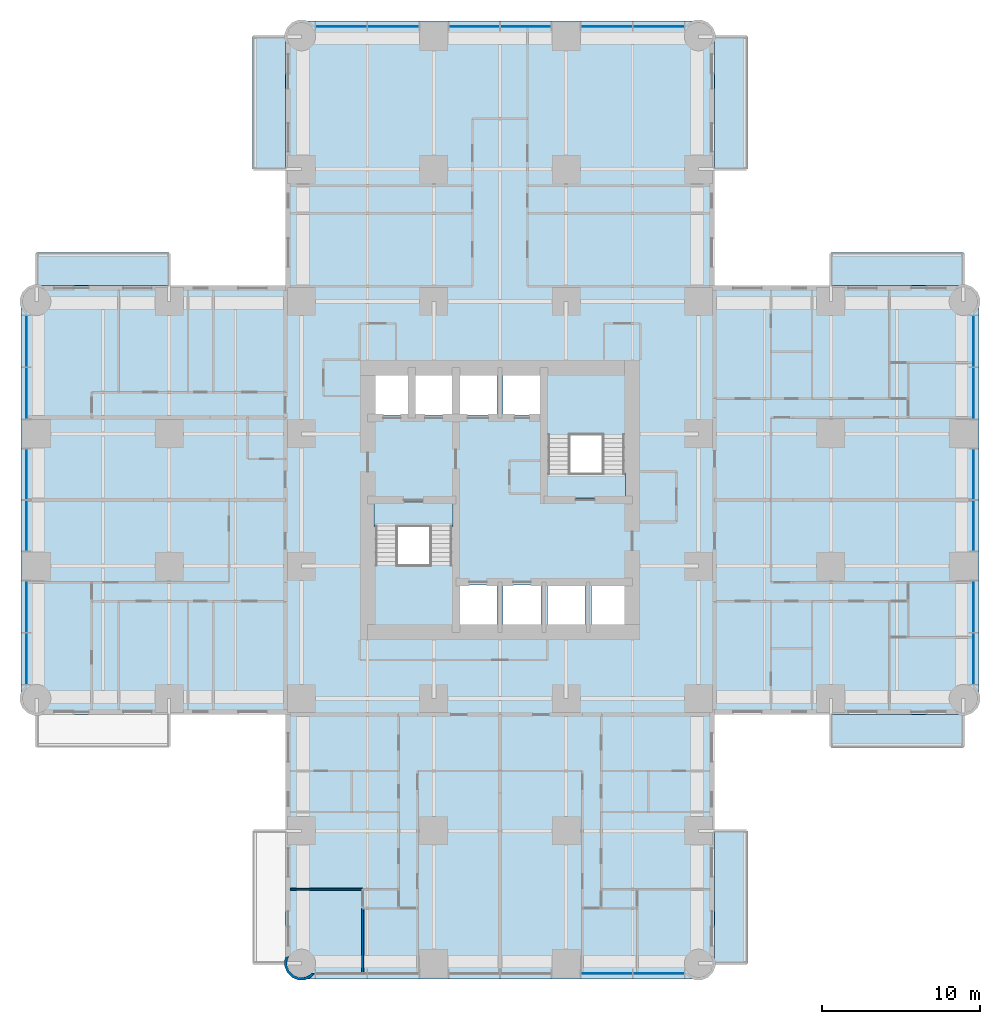
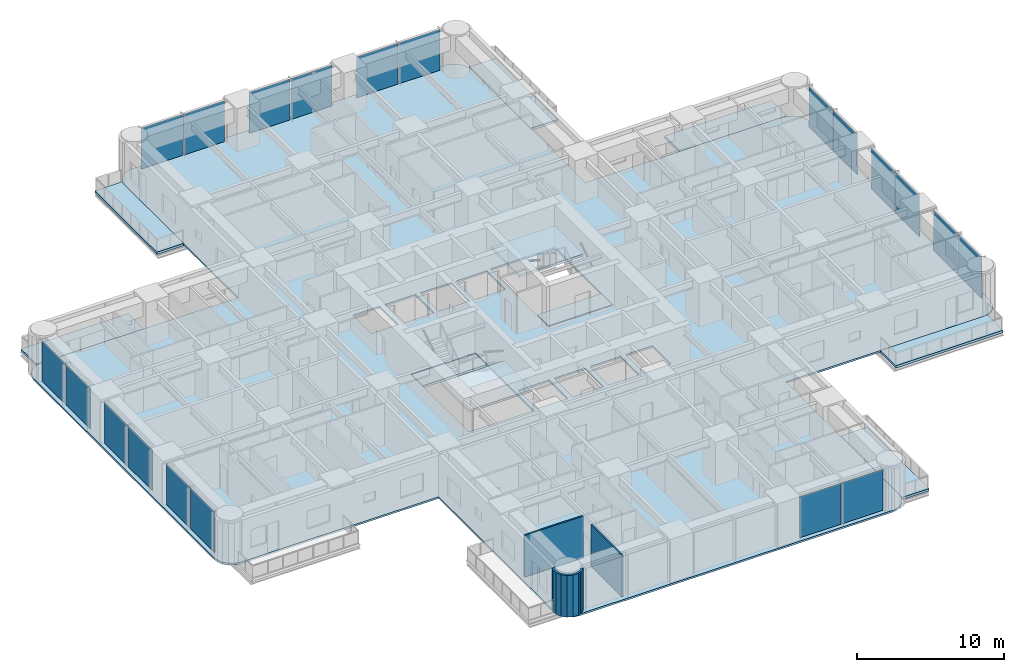
# One storey, part 6 of 17: 20 plates, 11 slabs, 3 walls, 6 elements without a shape of their own.
"""IFC4 building model written with IfcOpenShell, lengths in metres."""

from ifc_helpers import new_model, si_unit, direction, frame, frame_2d, origin, origin_2d, place, context, subcontext, project, spatial, polyline, rectangle, outline, extrude, material, layer, layer_set, type_object, element, aggregate, save


model = new_model("IFC4")

# Units and contexts
model_context = context("Model", 3, precision=1e-05, world=origin(), true_north=direction((0.0, 1.0)))
body_context = subcontext(model_context, "Body", "Model", "MODEL_VIEW")
ifc_project = project(units=[si_unit("LENGTHUNIT", "METRE"), si_unit("AREAUNIT", "SQUARE_METRE"), si_unit("VOLUMEUNIT", "CUBIC_METRE"), si_unit("PLANEANGLEUNIT", "RADIAN"), si_unit("MASSUNIT", "GRAM", prefix="KILO")], contexts=[model_context])

# Site, building, storey
site_placement = place(None, origin())
site = spatial("IfcSite", under=ifc_project, at=site_placement, CompositionType="ELEMENT")
building_placement = place(site_placement, origin())
building = spatial("IfcBuilding", under=site, at=building_placement, Name="Torre Alcanfor", CompositionType="ELEMENT")
storey_placement = place(building_placement, frame((0.0, 0.0, 34.5)))
storey = spatial("IfcBuildingStorey", under=building, at=storey_placement, Name="L07", CompositionType="ELEMENT", Elevation=34.5)

# Slabs
ifc_material_1 = material(Name="Concrete f'c 35 MPa", Category="concrete")
ifc_layer_1 = layer(ifc_material_1, 0.199951171875)
ifc_layer_set_1 = layer_set([ifc_layer_1], Name="Balcony slab 200")
slab_type_1 = type_object("IfcSlabType", Name="Balcony slab 200", PredefinedType="FLOOR", material=ifc_layer_set_1)
slab_1_placement = place(storey_placement, frame((0.0, 0.0, -0.199951171875)))
element("IfcSlab", 1, at=slab_1_placement, inside=storey, type_object=slab_type_1, Name="Balcony L07-N1", PredefinedType="FLOOR", context=body_context, shape_type="SweptSolid", body=[
    extrude(outline(polyline([(15.800048828125, 50.39990234375), (15.800048828125, 58.800048828125), (13.699951171875, 58.800048828125), (13.699951171875, 50.39990234375), (15.800048828125, 50.39990234375)])), origin(), (0.0, 0.0, 1.0), 0.199951171875),
])
slab_2_placement = place(storey_placement, frame((0.0, 0.0, -0.199951171875)))
element("IfcSlab", 2, at=slab_2_placement, inside=storey, type_object=slab_type_1, Name="Balcony L07-N2", PredefinedType="FLOOR", context=body_context, shape_type="SweptSolid", body=[
    extrude(outline(polyline([(45.10009765625, 50.39990234375), (45.10009765625, 58.800048828125), (43.0, 58.800048828125), (43.0, 50.39990234375), (45.10009765625, 50.39990234375)])), origin(), (0.0, 0.0, 1.0), 0.199951171875),
])
slab_3_placement = place(storey_placement, frame((0.0, 0.0, -0.199951171875)))
element("IfcSlab", 3, at=slab_3_placement, inside=storey, type_object=slab_type_1, Name="Balcony L07-E1", PredefinedType="FLOOR", context=body_context, shape_type="SweptSolid", body=[
    extrude(outline(polyline([(50.39990234375, 43.0), (58.800048828125, 43.0), (58.800048828125, 45.10009765625), (50.39990234375, 45.10009765625), (50.39990234375, 43.0)])), origin(), (0.0, 0.0, 1.0), 0.199951171875),
])
slab_4_placement = place(storey_placement, frame((0.0, 0.0, -0.199951171875)))
element("IfcSlab", 4, at=slab_4_placement, inside=storey, type_object=slab_type_1, Name="Balcony L07-E2", PredefinedType="FLOOR", context=body_context, shape_type="SweptSolid", body=[
    extrude(outline(polyline([(50.39990234375, 13.699951171875), (58.800048828125, 13.699951171875), (58.800048828125, 15.800048828125), (50.39990234375, 15.800048828125), (50.39990234375, 13.699951171875)])), origin(), (0.0, 0.0, 1.0), 0.199951171875),
])
slab_5_placement = place(storey_placement, frame((0.0, 0.0, -0.199951171875)))
element("IfcSlab", 5, at=slab_5_placement, inside=storey, type_object=slab_type_1, Name="Balcony L07-S1", PredefinedType="FLOOR", context=body_context, shape_type="SweptSolid", body=[
    extrude(outline(polyline([(43.0, 8.39990234375), (43.0, 0.0), (45.10009765625, 0.0), (45.10009765625, 8.39990234375), (43.0, 8.39990234375)])), origin(), (0.0, 0.0, 1.0), 0.199951171875),
])
slab_6_placement = place(storey_placement, frame((0.0, 0.0, -0.199951171875)))
element("IfcSlab", 6, at=slab_6_placement, inside=storey, type_object=slab_type_1, Name="Balcony L07-W2", PredefinedType="FLOOR", context=body_context, shape_type="SweptSolid", body=[
    extrude(outline(polyline([(8.39990234375, 45.10009765625), (0.0, 45.10009765625), (0.0, 43.0), (8.39990234375, 43.0), (8.39990234375, 45.10009765625)])), origin(), (0.0, 0.0, 1.0), 0.199951171875),
])

# Curtain wall, plates
ifc_material_2 = material(Name="Aluminium and glass", Category="aluminium")
curtain_wall_type = type_object("IfcCurtainWallType", Name="CW-A unitised apartment glazing with vertical FIN", PredefinedType="NOTDEFINED", material=ifc_material_2)
curtain_wall_1_placement = place(storey_placement, origin())
curtain_wall_1 = element("IfcCurtainWall", 7, at=curtain_wall_1_placement, inside=storey, type_object=curtain_wall_type, Name="Curtain wall CW-A L07 2", PredefinedType="NOTDEFINED")
ifc_material_3 = material(Name="Glass", Category="glass")
ifc_layer_2 = layer(ifc_material_3, 0.028076171875)
ifc_layer_set_2 = layer_set([ifc_layer_2], Name="CW-A clear double glazed unit")
plate_type = type_object("IfcPlateType", Name="CW-A clear double glazed unit", PredefinedType="CURTAIN_PANEL", material=ifc_layer_set_2)
plate_1_placement = place(storey_placement, frame((-0.64990234375, 39.484130859375, 0.0), z_axis=(0.0, 0.0, 1.0), x_axis=(0.0, -1.0, 0.0)))
plate_1 = element("IfcPlate", 8, at=plate_1_placement, type_object=plate_type, Name="CW-A panel 1.1.1", PredefinedType="CURTAIN_PANEL", context=body_context, shape_type="SweptSolid", body=[
    extrude(rectangle(XDim=3.232666015625, YDim=0.028076171875, at=origin_2d()), origin(), (0.0, 0.0, 1.0), 3.385009765625),
])
plate_2_placement = place(storey_placement, frame((-0.64990234375, 36.186279296875, 0.0), z_axis=(0.0, 0.0, 1.0), x_axis=(0.0, -1.0, 0.0)))
plate_2 = element("IfcPlate", 9, at=plate_2_placement, type_object=plate_type, Name="CW-A panel 1.2.1", PredefinedType="CURTAIN_PANEL", context=body_context, shape_type="SweptSolid", body=[
    extrude(rectangle(XDim=3.232666015625, YDim=0.028076171875, at=origin_2d()), origin(), (0.0, 0.0, 1.0), 3.385009765625),
])
plate_3_placement = place(storey_placement, frame((-0.64990234375, 31.03125, 0.0), z_axis=(0.0, 0.0, 1.0), x_axis=(0.0, -1.0, 0.0)))
plate_3 = element("IfcPlate", 10, at=plate_3_placement, type_object=plate_type, Name="CW-A panel 2.1.1", PredefinedType="CURTAIN_PANEL", context=body_context, shape_type="SweptSolid", body=[
    extrude(rectangle(XDim=3.197509765625, YDim=0.028076171875, at=origin_2d()), origin(), (0.0, 0.0, 1.0), 3.385009765625),
])
plate_4_placement = place(storey_placement, frame((-0.64990234375, 27.768798828125, 0.0), z_axis=(0.0, 0.0, 1.0), x_axis=(0.0, -1.0, 0.0)))
plate_4 = element("IfcPlate", 11, at=plate_4_placement, type_object=plate_type, Name="CW-A panel 2.2.1", PredefinedType="CURTAIN_PANEL", context=body_context, shape_type="SweptSolid", body=[
    extrude(rectangle(XDim=3.197509765625, YDim=0.028076171875, at=origin_2d()), origin(), (0.0, 0.0, 1.0), 3.385009765625),
])
plate_5_placement = place(storey_placement, frame((-0.64990234375, 22.613525390625, 0.0), z_axis=(0.0, 0.0, 1.0), x_axis=(0.0, -1.0, 0.0)))
plate_5 = element("IfcPlate", 12, at=plate_5_placement, type_object=plate_type, Name="CW-A panel 3.1.1", PredefinedType="CURTAIN_PANEL", context=body_context, shape_type="SweptSolid", body=[
    extrude(rectangle(XDim=3.232666015625, YDim=0.028076171875, at=origin_2d()), origin(), (0.0, 0.0, 1.0), 3.385009765625),
])
plate_6_placement = place(storey_placement, frame((-0.64990234375, 19.31591796875, 0.0), z_axis=(0.0, 0.0, 1.0), x_axis=(0.0, -1.0, 0.0)))
plate_6 = element("IfcPlate", 13, at=plate_6_placement, type_object=plate_type, Name="CW-A panel 3.2.1", PredefinedType="CURTAIN_PANEL", context=body_context, shape_type="SweptSolid", body=[
    extrude(rectangle(XDim=3.232666015625, YDim=0.028076171875, at=origin_2d()), origin(), (0.0, 0.0, 1.0), 3.385009765625),
])
aggregate(curtain_wall_1, [plate_1, plate_2, plate_3, plate_4, plate_5, plate_6])

curtain_wall_2_placement = place(storey_placement, origin())
curtain_wall_2 = element("IfcCurtainWall", 14, at=curtain_wall_2_placement, inside=storey, type_object=curtain_wall_type, Name="Curtain wall CW-A L07 5", PredefinedType="NOTDEFINED")
plate_7_placement = place(storey_placement, frame((36.186279296875, -0.64990234375, 0.0), z_axis=(0.0, 0.0, 1.0), x_axis=(1.0, 0.0, 0.0)))
plate_7 = element("IfcPlate", 15, at=plate_7_placement, type_object=plate_type, Name="CW-A panel 3.1.1", PredefinedType="CURTAIN_PANEL", context=body_context, shape_type="SweptSolid", body=[
    extrude(rectangle(XDim=3.232666015625, YDim=0.028076171875, at=origin_2d()), origin(), (0.0, 0.0, 1.0), 3.385009765625),
])
plate_8_placement = place(storey_placement, frame((39.484130859375, -0.64990234375, 0.0), z_axis=(0.0, 0.0, 1.0), x_axis=(1.0, 0.0, 0.0)))
plate_8 = element("IfcPlate", 16, at=plate_8_placement, type_object=plate_type, Name="CW-A panel 3.2.1", PredefinedType="CURTAIN_PANEL", context=body_context, shape_type="SweptSolid", body=[
    extrude(rectangle(XDim=3.232666015625, YDim=0.028076171875, at=origin_2d()), origin(), (0.0, 0.0, 1.0), 3.385009765625),
])
aggregate(curtain_wall_2, [plate_7, plate_8])

curtain_wall_3_placement = place(storey_placement, origin())
curtain_wall_3 = element("IfcCurtainWall", 17, at=curtain_wall_3_placement, inside=storey, type_object=curtain_wall_type, Name="Curtain wall CW-A L07 8", PredefinedType="NOTDEFINED")
plate_9_placement = place(storey_placement, frame((59.449951171875, 19.31591796875, 0.0), z_axis=(0.0, 0.0, 1.0), x_axis=(0.0, 1.0, 0.0)))
plate_9 = element("IfcPlate", 18, at=plate_9_placement, type_object=plate_type, Name="CW-A panel 1.1.1", PredefinedType="CURTAIN_PANEL", context=body_context, shape_type="SweptSolid", body=[
    extrude(rectangle(XDim=3.232666015625, YDim=0.028076171875, at=origin_2d()), origin(), (0.0, 0.0, 1.0), 3.385009765625),
])
plate_10_placement = place(storey_placement, frame((59.449951171875, 22.613525390625, 0.0), z_axis=(0.0, 0.0, 1.0), x_axis=(0.0, 1.0, 0.0)))
plate_10 = element("IfcPlate", 19, at=plate_10_placement, type_object=plate_type, Name="CW-A panel 1.2.1", PredefinedType="CURTAIN_PANEL", context=body_context, shape_type="SweptSolid", body=[
    extrude(rectangle(XDim=3.232666015625, YDim=0.028076171875, at=origin_2d()), origin(), (0.0, 0.0, 1.0), 3.385009765625),
])
plate_11_placement = place(storey_placement, frame((59.449951171875, 27.768798828125, 0.0), z_axis=(0.0, 0.0, 1.0), x_axis=(0.0, 1.0, 0.0)))
plate_11 = element("IfcPlate", 20, at=plate_11_placement, type_object=plate_type, Name="CW-A panel 2.1.1", PredefinedType="CURTAIN_PANEL", context=body_context, shape_type="SweptSolid", body=[
    extrude(rectangle(XDim=3.197509765625, YDim=0.028076171875, at=origin_2d()), origin(), (0.0, 0.0, 1.0), 3.385009765625),
])
plate_12_placement = place(storey_placement, frame((59.449951171875, 31.03125, 0.0), z_axis=(0.0, 0.0, 1.0), x_axis=(0.0, 1.0, 0.0)))
plate_12 = element("IfcPlate", 21, at=plate_12_placement, type_object=plate_type, Name="CW-A panel 2.2.1", PredefinedType="CURTAIN_PANEL", context=body_context, shape_type="SweptSolid", body=[
    extrude(rectangle(XDim=3.197509765625, YDim=0.028076171875, at=origin_2d()), origin(), (0.0, 0.0, 1.0), 3.385009765625),
])
plate_13_placement = place(storey_placement, frame((59.449951171875, 36.186279296875, 0.0), z_axis=(0.0, 0.0, 1.0), x_axis=(0.0, 1.0, 0.0)))
plate_13 = element("IfcPlate", 22, at=plate_13_placement, type_object=plate_type, Name="CW-A panel 3.1.1", PredefinedType="CURTAIN_PANEL", context=body_context, shape_type="SweptSolid", body=[
    extrude(rectangle(XDim=3.232666015625, YDim=0.028076171875, at=origin_2d()), origin(), (0.0, 0.0, 1.0), 3.385009765625),
])
plate_14_placement = place(storey_placement, frame((59.449951171875, 39.484130859375, 0.0), z_axis=(0.0, 0.0, 1.0), x_axis=(0.0, 1.0, 0.0)))
plate_14 = element("IfcPlate", 23, at=plate_14_placement, type_object=plate_type, Name="CW-A panel 3.2.1", PredefinedType="CURTAIN_PANEL", context=body_context, shape_type="SweptSolid", body=[
    extrude(rectangle(XDim=3.232666015625, YDim=0.028076171875, at=origin_2d()), origin(), (0.0, 0.0, 1.0), 3.385009765625),
])
aggregate(curtain_wall_3, [plate_9, plate_10, plate_11, plate_12, plate_13, plate_14])

curtain_wall_4_placement = place(storey_placement, origin())
curtain_wall_4 = element("IfcCurtainWall", 24, at=curtain_wall_4_placement, inside=storey, type_object=curtain_wall_type, Name="Curtain wall CW-A L07 11", PredefinedType="NOTDEFINED")
plate_15_placement = place(storey_placement, frame((39.484130859375, 59.449951171875, 0.0), z_axis=(0.0, 0.0, 1.0), x_axis=(-1.0, 0.0, 0.0)))
plate_15 = element("IfcPlate", 25, at=plate_15_placement, type_object=plate_type, Name="CW-A panel 1.1.1", PredefinedType="CURTAIN_PANEL", context=body_context, shape_type="SweptSolid", body=[
    extrude(rectangle(XDim=3.232666015625, YDim=0.028076171875, at=origin_2d()), origin(), (0.0, 0.0, 1.0), 3.385009765625),
])
plate_16_placement = place(storey_placement, frame((36.186279296875, 59.449951171875, 0.0), z_axis=(0.0, 0.0, 1.0), x_axis=(-1.0, 0.0, 0.0)))
plate_16 = element("IfcPlate", 26, at=plate_16_placement, type_object=plate_type, Name="CW-A panel 1.2.1", PredefinedType="CURTAIN_PANEL", context=body_context, shape_type="SweptSolid", body=[
    extrude(rectangle(XDim=3.232666015625, YDim=0.028076171875, at=origin_2d()), origin(), (0.0, 0.0, 1.0), 3.385009765625),
])
plate_17_placement = place(storey_placement, frame((31.03125, 59.449951171875, 0.0), z_axis=(0.0, 0.0, 1.0), x_axis=(-1.0, 0.0, 0.0)))
plate_17 = element("IfcPlate", 27, at=plate_17_placement, type_object=plate_type, Name="CW-A panel 2.1.1", PredefinedType="CURTAIN_PANEL", context=body_context, shape_type="SweptSolid", body=[
    extrude(rectangle(XDim=3.197509765625, YDim=0.028076171875, at=origin_2d()), origin(), (0.0, 0.0, 1.0), 3.385009765625),
])
plate_18_placement = place(storey_placement, frame((27.768798828125, 59.449951171875, 0.0), z_axis=(0.0, 0.0, 1.0), x_axis=(-1.0, 0.0, 0.0)))
plate_18 = element("IfcPlate", 28, at=plate_18_placement, type_object=plate_type, Name="CW-A panel 2.2.1", PredefinedType="CURTAIN_PANEL", context=body_context, shape_type="SweptSolid", body=[
    extrude(rectangle(XDim=3.197509765625, YDim=0.028076171875, at=origin_2d()), origin(), (0.0, 0.0, 1.0), 3.385009765625),
])
plate_19_placement = place(storey_placement, frame((22.613525390625, 59.449951171875, 0.0), z_axis=(0.0, 0.0, 1.0), x_axis=(-1.0, 0.0, 0.0)))
plate_19 = element("IfcPlate", 29, at=plate_19_placement, type_object=plate_type, Name="CW-A panel 3.1.1", PredefinedType="CURTAIN_PANEL", context=body_context, shape_type="SweptSolid", body=[
    extrude(rectangle(XDim=3.232666015625, YDim=0.028076171875, at=origin_2d()), origin(), (0.0, 0.0, 1.0), 3.385009765625),
])
plate_20_placement = place(storey_placement, frame((19.31591796875, 59.449951171875, 0.0), z_axis=(0.0, 0.0, 1.0), x_axis=(-1.0, 0.0, 0.0)))
plate_20 = element("IfcPlate", 30, at=plate_20_placement, type_object=plate_type, Name="CW-A panel 3.2.1", PredefinedType="CURTAIN_PANEL", context=body_context, shape_type="SweptSolid", body=[
    extrude(rectangle(XDim=3.232666015625, YDim=0.028076171875, at=origin_2d()), origin(), (0.0, 0.0, 1.0), 3.385009765625),
])
aggregate(curtain_wall_4, [plate_15, plate_16, plate_17, plate_18, plate_19, plate_20])

# Slab
ifc_material_4 = material(Name="Concrete f'c 35 MPa", Category="concrete")
ifc_layer_3 = layer(ifc_material_4, 0.14990234375)
ifc_layer_set_3 = layer_set([ifc_layer_3], Name="Composite floor 150 on metal deck")
slab_type_2 = type_object("IfcSlabType", Name="Composite floor 150 on metal deck", PredefinedType="FLOOR", material=ifc_layer_set_3)
slab_7_placement = place(storey_placement, frame((0.0, 0.0, -0.14990234375)))
element("IfcSlab", 31, at=slab_7_placement, inside=storey, type_object=slab_type_2, Name="Floor slab L07", PredefinedType="FLOOR", context=body_context, shape_type="SweptSolid", body=[
    extrude(outline(polyline([(15.800048828125, 43.0), (0.39990234375, 43.0), (0.03759765625, 42.952392578125), (-0.300048828125, 42.8125), (-0.58984375, 42.58984375), (-0.8125, 42.300048828125), (-0.952392578125, 41.96240234375), (-1.0, 41.60009765625), (-1.0, 17.199951171875), (-0.952392578125, 16.837646484375), (-0.8125, 16.5), (-0.58984375, 16.210205078125), (-0.300048828125, 15.987548828125), (0.03759765625, 15.84765625), (0.39990234375, 15.800048828125), (15.800048828125, 15.800048828125), (15.800048828125, 0.39990234375), (15.84765625, 0.03759765625), (15.987548828125, -0.300048828125), (16.210205078125, -0.58984375), (16.5, -0.8125), (16.837646484375, -0.952392578125), (17.199951171875, -1.0), (41.60009765625, -1.0), (41.96240234375, -0.952392578125), (42.300048828125, -0.8125), (42.58984375, -0.58984375), (42.8125, -0.300048828125), (42.952392578125, 0.03759765625), (43.0, 0.39990234375), (43.0, 15.800048828125), (58.39990234375, 15.800048828125), (58.76220703125, 15.84765625), (59.10009765625, 15.987548828125), (59.389892578125, 16.210205078125), (59.6123046875, 16.5), (59.752197265625, 16.837646484375), (59.800048828125, 17.199951171875), (59.800048828125, 41.60009765625), (59.752197265625, 41.96240234375), (59.6123046875, 42.300048828125), (59.389892578125, 42.58984375), (59.10009765625, 42.8125), (58.76220703125, 42.952392578125), (58.39990234375, 43.0), (43.0, 43.0), (43.0, 58.39990234375), (42.952392578125, 58.76220703125), (42.8125, 59.10009765625), (42.58984375, 59.389892578125), (42.300048828125, 59.6123046875), (41.96240234375, 59.752197265625), (41.60009765625, 59.800048828125), (17.199951171875, 59.800048828125), (16.837646484375, 59.752197265625), (16.5, 59.6123046875), (16.210205078125, 59.389892578125), (15.987548828125, 59.10009765625), (15.84765625, 58.76220703125), (15.800048828125, 58.39990234375), (15.800048828125, 43.0)]), holes=[polyline([(21.419921875, 21.419921875), (26.47998046875, 21.419921875), (26.47998046875, 29.280029296875), (21.419921875, 29.280029296875), (21.419921875, 21.419921875)]), polyline([(32.320068359375, 29.52001953125), (37.3798828125, 29.52001953125), (37.3798828125, 37.3798828125), (32.320068359375, 37.3798828125), (32.320068359375, 29.52001953125)]), polyline([(26.800048828125, 21.5), (29.199951171875, 21.5), (29.199951171875, 24.0), (26.800048828125, 24.0), (26.800048828125, 21.5)]), polyline([(29.60009765625, 21.5), (32.0, 21.5), (32.0, 24.0), (29.60009765625, 24.0), (29.60009765625, 21.5)]), polyline([(32.39990234375, 21.5), (34.800048828125, 21.5), (34.800048828125, 24.0), (32.39990234375, 24.0), (32.39990234375, 21.5)]), polyline([(35.199951171875, 21.5), (37.300048828125, 21.5), (37.300048828125, 24.0), (35.199951171875, 24.0), (35.199951171875, 21.5)]), polyline([(21.5, 34.800048828125), (23.60009765625, 34.800048828125), (23.60009765625, 37.300048828125), (21.5, 37.300048828125), (21.5, 34.800048828125)]), polyline([(24.0, 34.800048828125), (26.39990234375, 34.800048828125), (26.39990234375, 37.300048828125), (24.0, 37.300048828125), (24.0, 34.800048828125)]), polyline([(26.800048828125, 34.800048828125), (29.199951171875, 34.800048828125), (29.199951171875, 37.300048828125), (26.800048828125, 37.300048828125), (26.800048828125, 34.800048828125)]), polyline([(29.60009765625, 34.800048828125), (32.0, 34.800048828125), (32.0, 37.300048828125), (29.60009765625, 37.300048828125), (29.60009765625, 34.800048828125)])]), origin(), (0.0, 0.0, 1.0), 0.14990234375),
])

# Stair, slabs
ifc_material_5 = material(Name="Concrete f'c 35 MPa", Category="concrete")
stair_type_1 = type_object("IfcStairType", Name="Exit stair S1 1400 wide", PredefinedType="HALF_TURN_STAIR", material=ifc_material_5)
stair_1_placement = place(storey_placement, origin())
stair_1 = element("IfcStair", 32, at=stair_1_placement, inside=storey, type_object=stair_type_1, Name="Stair S1 L07 to L08", PredefinedType="HALF_TURN_STAIR")
ifc_material_6 = material(Name="Concrete f'c 35 MPa", Category="concrete")
ifc_layer_4 = layer(ifc_material_6, 0.199951171875)
ifc_layer_set_4 = layer_set([ifc_layer_4], Name="Stair landing 200")
slab_type_3 = type_object("IfcSlabType", Name="Stair landing 200", PredefinedType="LANDING", material=ifc_layer_set_4)
slab_8_placement = place(storey_placement, frame((0.0, 0.0, -0.199951171875)))
slab_8 = element("IfcSlab", 33, at=slab_8_placement, type_object=slab_type_3, Name="S1 landing 1", PredefinedType="LANDING", context=body_context, shape_type="SweptSolid", body=[
    extrude(outline(polyline([(21.419921875, 27.699951171875), (26.429931640625, 27.699951171875), (26.429931640625, 29.22998046875), (21.419921875, 29.22998046875), (21.419921875, 27.699951171875)])), origin(), (0.0, 0.0, 1.0), 0.199951171875),
])
slab_9_placement = place(storey_placement, frame((0.0, 0.0, 1.60009765625)))
slab_9 = element("IfcSlab", 34, at=slab_9_placement, type_object=slab_type_3, Name="S1 landing 2", PredefinedType="LANDING", context=body_context, shape_type="SweptSolid", body=[
    extrude(outline(polyline([(21.419921875, 21.419921875), (26.429931640625, 21.419921875), (26.429931640625, 25.280029296875), (21.419921875, 25.280029296875), (21.419921875, 21.419921875)])), origin(), (0.0, 0.0, 1.0), 0.199951171875),
])
aggregate(stair_1, [slab_8, slab_9])

ifc_material_7 = material(Name="Concrete f'c 35 MPa", Category="concrete")
stair_type_2 = type_object("IfcStairType", Name="Exit stair S2 1400 wide", PredefinedType="HALF_TURN_STAIR", material=ifc_material_7)
stair_2_placement = place(storey_placement, origin())
stair_2 = element("IfcStair", 35, at=stair_2_placement, inside=storey, type_object=stair_type_2, Name="Stair S2 L07 to L08", PredefinedType="HALF_TURN_STAIR")
slab_10_placement = place(storey_placement, frame((0.0, 0.0, -0.199951171875)))
slab_10 = element("IfcSlab", 36, at=slab_10_placement, type_object=slab_type_3, Name="S2 landing 1", PredefinedType="LANDING", context=body_context, shape_type="SweptSolid", body=[
    extrude(outline(polyline([(32.3701171875, 29.570068359375), (37.3798828125, 29.570068359375), (37.3798828125, 31.10009765625), (32.3701171875, 31.10009765625), (32.3701171875, 29.570068359375)])), origin(), (0.0, 0.0, 1.0), 0.199951171875),
])
slab_11_placement = place(storey_placement, frame((0.0, 0.0, 1.60009765625)))
slab_11 = element("IfcSlab", 37, at=slab_11_placement, type_object=slab_type_3, Name="S2 landing 2", PredefinedType="LANDING", context=body_context, shape_type="SweptSolid", body=[
    extrude(outline(polyline([(32.3701171875, 33.52001953125), (37.3798828125, 33.52001953125), (37.3798828125, 37.3798828125), (32.3701171875, 37.3798828125), (32.3701171875, 33.52001953125)])), origin(), (0.0, 0.0, 1.0), 0.199951171875),
])
aggregate(stair_2, [slab_10, slab_11])

# Walls
ifc_material_8 = material(Name="Gypsum board on steel studs", Category="steel")
ifc_layer_5 = layer(ifc_material_8, 0.1201171875)
ifc_layer_set_5 = layer_set([ifc_layer_5], Name="Apartment partition 120")
wall_type_1 = type_object("IfcWallType", Name="Apartment partition 120", PredefinedType="PARTITIONING", material=ifc_layer_set_5)
wall_1_placement = place(storey_placement, frame((20.68603515625, 4.699951171875, 0.0), z_axis=(0.0, 0.0, 1.0), x_axis=(-1.0, 0.0, 0.0)))
element("IfcWall", 38, at=wall_1_placement, inside=storey, type_object=wall_type_1, Name="Partition L07-S2-BED3 / L07-S2-MASTER", PredefinedType="PARTITIONING", context=body_context, shape_type="SweptSolid", body=[
    extrude(rectangle(XDim=4.5859375, YDim=0.1201171875, at=frame_2d((2.29296875, 0.0))), origin(), (0.0, 0.0, 1.0), 3.449951171875),
])
wall_2_placement = place(storey_placement, frame((20.68603515625, -0.64990234375, 0.0), z_axis=(0.0, 0.0, 1.0), x_axis=(0.0, 1.0, 0.0)))
element("IfcWall", 39, at=wall_2_placement, inside=storey, type_object=wall_type_1, Name="Partition L07-S2-BED2 / L07-S2-MASTER", PredefinedType="PARTITIONING", context=body_context, shape_type="SweptSolid", body=[
    extrude(rectangle(XDim=4.14990234375, YDim=0.1201171875, at=frame_2d((2.074951171875, 0.0))), origin(), (0.0, 0.0, 1.0), 3.449951171875),
])
ifc_material_9 = material(Name="Limestone cladding", Category="masonry")
ifc_layer_6 = layer(ifc_material_9, 0.0400390625, Name="Facing")
ifc_material_10 = material(Name="Ventilated air cavity")
ifc_layer_7 = layer(ifc_material_10, 0.02001953125, ventilated=True, Name="Ventilated joint")
ifc_material_11 = material(Name="Mineral wool insulation", Category="insulation")
ifc_layer_8 = layer(ifc_material_11, 0.10009765625, Name="Insulation")
ifc_material_12 = material(Name="Concrete f'c 35 MPa", Category="concrete")
ifc_layer_9 = layer(ifc_material_12, 0.139892578125, Name="Backing")
ifc_layer_set_6 = layer_set([ifc_layer_6, ifc_layer_7, ifc_layer_8, ifc_layer_9], Name="Rounded corner pier stone-clad 300")
wall_type_2 = type_object("IfcWallType", Name="Rounded corner pier stone-clad 300", PredefinedType="SOLIDWALL", material=ifc_layer_set_6)
wall_3_placement = place(storey_placement, frame((15.890092843, 0.363962863, 0.0), z_axis=(0.0, 0.0, 1.0), x_axis=(-0.377204953059, -0.926129809145, 0.0)))
element("IfcWall", 40, at=wall_3_placement, inside=storey, type_object=wall_type_2, Name="Corner pier L07 15", PredefinedType="SOLIDWALL", context=body_context, shape_type="SweptSolid", body=[
    extrude(outline(polyline([(0.36025406326845444, 1.8033251535395152), (0.5088520451897254, 1.7407402151136773), (0.7605729288027181, 1.4858036812916837), (0.8957625945963965, 1.1538802047718164), (0.8938847377533284, 0.7953914035812757), (0.7547773157275899, 0.46510295554213366), (0.4997067670481534, 0.21306387496571194), (0.16778329052828606, 0.07787420917203358), (-0.09994023900030424, 0.0795504548732244), (0.0006804239564057041, -0.09694899646014049), (0.029999294732247404, -0.08026261581225796), (0.19856690358048068, -0.0812004843578153), (0.5888257049928043, 0.07774867310804906), (0.8888185520201115, 0.37418200048294215), (1.0525847078153452, 0.7630186897929918), (1.0551554850896743, 1.184529802966568), (0.896114236570817, 1.5750147102893275), (0.7776681844062314, 1.6949582431572732), (0.7691216165340404, 1.727592391840862), (0.7502462480266835, 1.7228043636692119), (0.599680909195924, 1.8750075573166347), (0.2945300212676607, 2.0035278056043833), (0.2809636666415082, 1.9980023424248052), (0.36025406326845444, 1.8033251535395152)])), origin(), (0.0, 0.0, 1.0), 3.449951171875),
])

save(model, "model.ifc")
